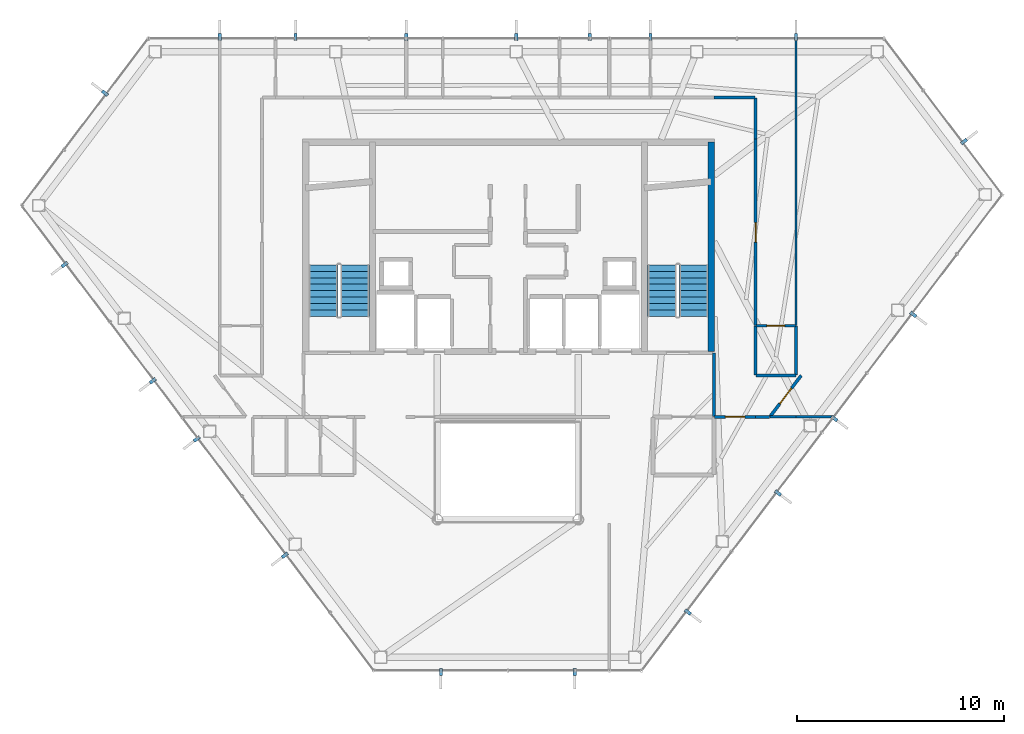
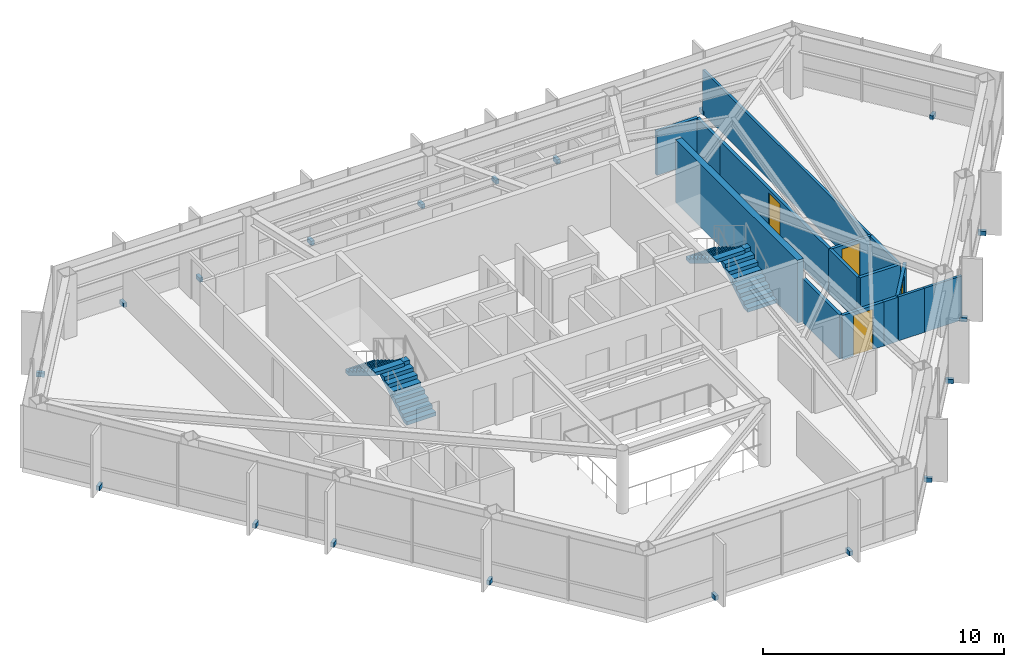
# One storey, part 24 of 25: 19 discrete accessories, 15 walls, 4 doors, 4 stair flights, 4 openings, 2 elements without a shape of their own.
"""IFC4 building model written with IfcOpenShell, lengths in metres."""

import ifcopenshell
import ifcopenshell.guid

model = None  # the IFC model being written
_history = None  # IfcOwnerHistory: only IFC2X3 demands one
_inside = {}  # id of a spatial element -> (the spatial element, [elements in it])
_under = {}  # id of a project, library or spatial element -> (it, [spatial elements below it])
_declared = {}  # id of a project -> (the project, [libraries it declares])
_typed = {}  # id of a type object -> (the type object, [elements of that type])
_made_of = {}  # id of a material, layer set ... -> (it, [elements and type objects made of it])


def new_model(schema):
    """Start an empty IFC model of exactly this schema.

    Asked for "IFC4X3", IfcOpenShell would pick the latest addendum, in which some entities
    have other attributes; the version numbers below select the first issue.
    IFC2X3 requires an IfcOwnerHistory on every rooted entity: one is made here for all.
    """
    global model, _history
    if schema == "IFC4X3":
        model = ifcopenshell.file(schema_version=(4, 3, 0, 0))
    else:
        model = ifcopenshell.file(schema=schema)
    _inside.clear()
    _under.clear()
    _declared.clear()
    _typed.clear()
    _made_of.clear()
    _history = None
    if model.schema == "IFC2X3":
        org = make("IfcOrganization", Name="unknown")
        user = make(
            "IfcPersonAndOrganization",
            ThePerson=make("IfcPerson", FamilyName="unknown"),
            TheOrganization=org,
        )
        app = make(
            "IfcApplication",
            ApplicationDeveloper=org,
            Version="unknown",
            ApplicationFullName="unknown",
            ApplicationIdentifier="unknown",
        )
        _history = make(
            "IfcOwnerHistory",
            OwningUser=user,
            OwningApplication=app,
            ChangeAction="ADDED",
            CreationDate=0,
        )
    return model


def make(cls, **values):
    """One entity of the class cls with the attributes given. An attribute that is None is left unset."""
    return model.create_entity(
        cls, **{name: value for name, value in values.items() if value is not None}
    )


def rooted(cls, **values):
    """An entity with a GlobalId (a new one), such as an element, a storey or a relation."""
    return make(cls, GlobalId=ifcopenshell.guid.new(), OwnerHistory=_history, **values)


def si_unit(unit_type, name, prefix=None):
    """IfcSIUnit, for example si_unit("LENGTHUNIT", "METRE", prefix="MILLI")."""
    return make("IfcSIUnit", UnitType=unit_type, Prefix=prefix, Name=name)


def assignment(units):
    """IfcUnitAssignment: the units of a project."""
    return None if units is None else make("IfcUnitAssignment", Units=units)


def point(xyz):
    """IfcCartesianPoint."""
    return None if xyz is None else make("IfcCartesianPoint", Coordinates=xyz)


def direction(xyz):
    """IfcDirection."""
    return None if xyz is None else make("IfcDirection", DirectionRatios=xyz)


def frame(location, z_axis=None, x_axis=None):
    """IfcAxis2Placement3D, a coordinate frame: its origin and axes. An axis left out is left unset."""
    return make(
        "IfcAxis2Placement3D",
        Location=point(location),
        Axis=direction(z_axis),
        RefDirection=direction(x_axis),
    )


def frame_2d(location, x_axis=None):
    """IfcAxis2Placement2D, a coordinate frame in the plane: its origin and x axis."""
    return make(
        "IfcAxis2Placement2D", Location=point(location), RefDirection=direction(x_axis)
    )


def origin():
    """The frame at (0, 0, 0) with its axes left unset."""
    return frame((0.0, 0.0, 0.0))


def origin_2d():
    """The frame at (0, 0) in the plane with its x axis left unset."""
    return frame_2d((0.0, 0.0))


def place(relative_to, where):
    """IfcLocalPlacement: puts the frame where relative to a parent placement (None: the world)."""
    return make(
        "IfcLocalPlacement", PlacementRelTo=relative_to, RelativePlacement=where
    )


def context(
    kind, dimensions, precision=None, world=None, true_north=None, identifier=None
):
    """IfcGeometricRepresentationContext, for example the 3D "Model" context."""
    return make(
        "IfcGeometricRepresentationContext",
        ContextIdentifier=identifier,
        ContextType=kind,
        CoordinateSpaceDimension=dimensions,
        Precision=precision,
        WorldCoordinateSystem=world,
        TrueNorth=true_north,
    )


def subcontext(parent, identifier, kind, view, scale=None):
    """IfcGeometricRepresentationSubContext, for example "Body" below "Model"."""
    return make(
        "IfcGeometricRepresentationSubContext",
        ContextIdentifier=identifier,
        ContextType=kind,
        ParentContext=parent,
        TargetScale=scale,
        TargetView=view,
    )


def project(units=None, contexts=None):
    """IfcProject with its units and contexts."""
    return rooted(
        "IfcProject",
        Name="project",
        RepresentationContexts=contexts,
        UnitsInContext=assignment(units),
    )


def spatial(cls, under=None, at=None, **own):
    """A site, building, storey or space (cls), placed at a placement, below another one or the project."""
    s = rooted(cls, ObjectPlacement=at, **own)
    if under is not None:
        _under.setdefault(under.id(), (under, []))[1].append(s)
    return s


def polyline(points):
    """IfcPolyline through the points."""
    return make("IfcPolyline", Points=[point(p) for p in points])


def profile(cls, at=None, kind="AREA", **sizes):
    """A parametric profile (cls). Its sizes go by their IFC names, for example OverallWidth=200.0."""
    return make(cls, ProfileType=kind, Position=at, **sizes)


def rectangle(**sizes):
    """IfcRectangleProfileDef."""
    return profile("IfcRectangleProfileDef", **sizes)


def outline(outer, holes=None, kind="AREA"):
    """IfcArbitraryClosedProfileDef: a profile drawn as a closed curve; with holes, ...WithVoids."""
    if holes is None:
        return make("IfcArbitraryClosedProfileDef", ProfileType=kind, OuterCurve=outer)
    return make(
        "IfcArbitraryProfileDefWithVoids",
        ProfileType=kind,
        OuterCurve=outer,
        InnerCurves=holes,
    )


def extrude(swept, where, along, depth):
    """IfcExtrudedAreaSolid: the profile swept, set in the frame where, extruded along a direction by depth."""
    return make(
        "IfcExtrudedAreaSolid",
        SweptArea=swept,
        Position=where,
        ExtrudedDirection=direction(along),
        Depth=depth,
    )


def shape(context_of_items, identifier, shape_type, items):
    """IfcShapeRepresentation: the items that make up one representation, for example the "Body"."""
    return make(
        "IfcShapeRepresentation",
        ContextOfItems=context_of_items,
        RepresentationIdentifier=identifier,
        RepresentationType=shape_type,
        Items=items,
    )


def material(Name=None, Category=None):
    """IfcMaterial."""
    return make("IfcMaterial", Name=Name, Category=Category)


def layer(
    of_material, thickness, ventilated=None, Name=None, Category=None, Priority=None
):
    """IfcMaterialLayer: one layer of a wall or slab, of a material (None: an air gap)."""
    return make(
        "IfcMaterialLayer",
        Material=of_material,
        LayerThickness=thickness,
        IsVentilated=ventilated,
        Name=Name,
        Category=Category,
        Priority=Priority,
    )


def layer_set(layers, Name=None):
    """IfcMaterialLayerSet."""
    return make("IfcMaterialLayerSet", MaterialLayers=layers, LayerSetName=Name)


def made_of(thing, what):
    """Note that an element or type object is made of a material, layer set ...; save() writes the relation."""
    if what is not None:
        _made_of.setdefault(what.id(), (what, []))[1].append(thing)
    return thing


def type_object(cls, material=None, **own):
    """A type object (cls), such as IfcWallType, which elements share."""
    return made_of(rooted(cls, **own), material)


def element(
    cls,
    number,
    at=None,
    inside=None,
    cuts=None,
    type_object=None,
    material=None,
    context=None,
    identifier="Body",
    shape_type=None,
    held_by="IfcProductDefinitionShape",
    body=None,
    shapes=None,
    **own,
):
    """One element of the class cls, such as IfcWall. Its Tag is "e" and its number.

    at: its placement. inside: the storey or other place that contains it. cuts: it is an
    opening in that element (IfcRelVoidsElement). A single representation is given by context,
    identifier, shape_type and body (its items); several are given by shapes. held_by: the class
    of the entity that holds the representations. save() writes the other relations.
    """
    e = rooted(cls, Tag="e%d" % number, ObjectPlacement=at, **own)
    if body is not None:
        shapes = [shape(context, identifier, shape_type, body)]
    if shapes is not None:
        e.Representation = make(held_by, Representations=shapes)
    if inside is not None:
        _inside.setdefault(inside.id(), (inside, []))[1].append(e)
    if cuts is not None:
        rooted(
            "IfcRelVoidsElement", RelatingBuildingElement=cuts, RelatedOpeningElement=e
        )
    if type_object is not None:
        _typed.setdefault(type_object.id(), (type_object, []))[1].append(e)
    return made_of(e, material)


def fill(opening, filler):
    """IfcRelFillsElement: the door or window that sits in an opening."""
    return rooted(
        "IfcRelFillsElement",
        RelatingOpeningElement=opening,
        RelatedBuildingElement=filler,
    )


def aggregate(whole, parts):
    """IfcRelAggregates: a whole, such as a stair, and the parts it consists of."""
    return rooted("IfcRelAggregates", RelatingObject=whole, RelatedObjects=parts)


def save(model, path):
    """Write the relations noted so far, then the file.

    IfcRelAggregates (storeys below a building ...), IfcRelContainedInSpatialStructure (elements
    in a storey), IfcRelDefinesByType, IfcRelAssociatesMaterial and IfcRelDeclares: one each for
    every whole, place, type object, material and project.
    """
    for whole, parts in _under.values():
        aggregate(whole, parts)
    for where, things in _inside.values():
        rooted(
            "IfcRelContainedInSpatialStructure",
            RelatedElements=things,
            RelatingStructure=where,
        )
    for kind, things in _typed.values():
        rooted("IfcRelDefinesByType", RelatedObjects=things, RelatingType=kind)
    for what, things in _made_of.values():
        rooted("IfcRelAssociatesMaterial", RelatedObjects=things, RelatingMaterial=what)
    for by, libraries in _declared.values():
        rooted("IfcRelDeclares", RelatingContext=by, RelatedDefinitions=libraries)
    model.write(path)


model = new_model("IFC4")

# Units and contexts
model_context = context("Model", 3, precision=1e-05, world=origin(), true_north=direction((0.0, 1.0)))
body_context = subcontext(model_context, "Body", "Model", "MODEL_VIEW")
ifc_project = project(units=[si_unit("LENGTHUNIT", "METRE"), si_unit("AREAUNIT", "SQUARE_METRE"), si_unit("VOLUMEUNIT", "CUBIC_METRE"), si_unit("PLANEANGLEUNIT", "RADIAN"), si_unit("MASSUNIT", "GRAM", prefix="KILO")], contexts=[model_context])

# Site, building, storey
site_placement = place(None, origin())
site = spatial("IfcSite", under=ifc_project, at=site_placement, CompositionType="ELEMENT")
building_placement = place(site_placement, origin())
building = spatial("IfcBuilding", under=site, at=building_placement, Name="Zarrinselat Tower", CompositionType="ELEMENT")
storey_placement = place(building_placement, frame((0.0, 0.0, 208.760009765625)))
storey = spatial("IfcBuildingStorey", under=building, at=storey_placement, Name="L51", CompositionType="ELEMENT", Elevation=208.760009765625)

# Walls
ifc_material_1 = material(Name="Fire-Rated Gypsum Board Partition", Category="gypsum")
ifc_layer_1 = layer(ifc_material_1, 0.14990234375)
ifc_layer_set_1 = layer_set([ifc_layer_1], Name="Fire-Rated Gypsum Board Partition")
wall_type_1 = type_object("IfcWallType", Name="WAL-PART-EI60", PredefinedType="PARTITIONING", material=ifc_layer_set_1)
wall_1_placement = place(storey_placement, frame((48.35009765625, 30.169921875, 0.0), z_axis=(0.0, 0.0, 1.0), x_axis=(0.0, 1.0, 0.0)))
element("IfcWall", 1, at=wall_1_placement, inside=storey, type_object=wall_type_1, Name="L51 Partition Wall 18", PredefinedType="PARTITIONING", context=body_context, shape_type="SweptSolid", body=[
    extrude(rectangle(XDim=3.06005859375, YDim=0.14990234375, at=frame_2d((1.530029296875, 0.0))), origin(), (0.0, 0.0, 1.0), 2.235107421875),
])
wall_2_placement = place(storey_placement, frame((50.35009765625, 30.14990234375, 0.0), z_axis=(0.0, 0.0, 1.0), x_axis=(1.0, 0.0, 0.0)))
element("IfcWall", 2, at=wall_2_placement, inside=storey, type_object=wall_type_1, Name="L51 Partition Wall 29", PredefinedType="PARTITIONING", context=body_context, shape_type="SweptSolid", body=[
    extrude(rectangle(XDim=0.6650390625, YDim=0.14990234375, at=frame_2d((0.33251953125, 0.0))), origin(), (0.0, 0.0, 1.0), 2.235107421875),
])

# Wall, opening, door
wall_3_placement = place(storey_placement, frame((48.3701171875, 30.14990234375, 0.0), z_axis=(0.0, 0.0, 1.0), x_axis=(1.0, 0.0, 0.0)))
wall_3 = element("IfcWall", 3, at=wall_3_placement, inside=storey, type_object=wall_type_1, Name="L51 Partition Wall 30", PredefinedType="PARTITIONING", context=body_context, shape_type="SweptSolid", body=[
    extrude(rectangle(XDim=1.97998046875, YDim=0.14990234375, at=frame_2d((0.989990234375, 0.0))), origin(), (0.0, 0.0, 1.0), 2.235107421875),
])
opening_1_placement = place(wall_3_placement, frame((0.52001953125, 0.0, 0.0)))
opening_1 = element("IfcOpeningElement", 4, at=opening_1_placement, cuts=wall_3, Name="Opening ID-04", PredefinedType="OPENING", context=body_context, shape_type="SweptSolid", body=[
    extrude(rectangle(XDim=0.93994140625, YDim=2.050048828125, at=frame_2d((0.469970703125, 1.02490234375))), frame((0.0, 0.0849609375, 0.0), z_axis=(0.0, -1.0, 0.0), x_axis=(1.0, 0.0, 0.0)), (0.0, 0.0, 1.0), 0.169921875),
])
ifc_material_2 = material(Name="Fire-Rated Gypsum Board Partition")
door_type_1 = type_object("IfcDoorType", Name="DR-INT-FD30-ENT", OperationType="NOTDEFINED", PredefinedType="DOOR", material=ifc_material_2)
door_1_placement = place(opening_1_placement, origin())
door_1 = element("IfcDoor", 5, at=door_1_placement, inside=storey, type_object=door_type_1, Name="L51 Interior Door P30", OperationType="SINGLE_SWING_RIGHT", OverallHeight=2.050048828125, OverallWidth=0.93994140625, PredefinedType="DOOR", context=body_context, shape_type="SweptSolid", body=[
    extrude(rectangle(XDim=0.93994140625, YDim=2.050048828125, at=frame_2d((0.469970703125, 1.02490234375))), frame((0.0, 0.02490234375, 0.0), z_axis=(0.0, -1.0, 0.0), x_axis=(1.0, 0.0, 0.0)), (0.0, 0.0, 1.0), 0.050048828125),
])
fill(opening_1, door_1)

wall_4_placement = place(storey_placement, frame((51.04736328125, 30.166015625, 0.0), z_axis=(0.0, 0.0, 1.0), x_axis=(0.60385391082, 0.797095009637, 0.0)))
wall_4 = element("IfcWall", 6, at=wall_4_placement, inside=storey, type_object=wall_type_1, Name="L51 Partition Wall 32", PredefinedType="PARTITIONING", context=body_context, shape_type="SweptSolid", body=[
    extrude(rectangle(XDim=2.489013671875, YDim=0.14990234375, at=frame_2d((1.24462890625, 0.0))), origin(), (0.0, 0.0, 1.0), 2.235107421875),
])
opening_2_placement = place(wall_4_placement, frame((0.774658203125, 0.0, 0.0)))
opening_2 = element("IfcOpeningElement", 7, at=opening_2_placement, cuts=wall_4, Name="Opening ID-04", PredefinedType="OPENING", context=body_context, shape_type="SweptSolid", body=[
    extrude(rectangle(XDim=0.93994140625, YDim=2.050048828125, at=frame_2d((0.469970703125, 1.02490234375))), frame((0.0, 0.0849609375, 0.0), z_axis=(0.0, -1.0, 0.0), x_axis=(1.0, 0.0, 0.0)), (0.0, 0.0, 1.0), 0.169921875),
])
door_2_placement = place(opening_2_placement, origin())
door_2 = element("IfcDoor", 8, at=door_2_placement, inside=storey, type_object=door_type_1, Name="L51 Interior Door P32", OperationType="SINGLE_SWING_RIGHT", OverallHeight=2.050048828125, OverallWidth=0.93994140625, PredefinedType="DOOR", context=body_context, shape_type="SweptSolid", body=[
    extrude(rectangle(XDim=0.93994140625, YDim=2.050048828125, at=frame_2d((0.469970703125, 1.02490234375))), frame((0.0, 0.02490234375, 0.0), z_axis=(0.0, -1.0, 0.0), x_axis=(1.0, 0.0, 0.0)), (0.0, 0.0, 1.0), 0.050048828125),
])
fill(opening_2, door_2)

# Walls
for number, where, z_axis, x_axis, name in (
    (9, (48.35009765625, 45.550048828125, 0.0), (0.0, 0.0, 1.0), (1.0, 0.0, 0.0), "L51 Partition Wall 41"),
    (10, (50.35009765625, 43.550048828125, 0.0), (0.0, 0.0, 1.0), (0.0, 1.0, 0.0), "L51 Partition Wall 42"),
):
    element("IfcWall", number, at=place(storey_placement, frame(where, z_axis=z_axis, x_axis=x_axis)), inside=storey, type_object=wall_type_1, Name=name, PredefinedType="PARTITIONING", context=body_context, shape_type="SweptSolid", body=[
        extrude(rectangle(XDim=1.97998046875, YDim=0.14990234375, at=frame_2d((0.989990234375, 0.0))), origin(), (0.0, 0.0, 1.0), 2.235107421875),
    ])

# Wall, opening, door
wall_5_placement = place(storey_placement, frame((50.35009765625, 34.554931640625, 0.0), z_axis=(0.0, 0.0, 1.0), x_axis=(0.0, 1.0, 0.0)))
wall_5 = element("IfcWall", 11, at=wall_5_placement, inside=storey, type_object=wall_type_1, Name="L51 Partition Wall 43", PredefinedType="PARTITIONING", context=body_context, shape_type="SweptSolid", body=[
    extrude(rectangle(XDim=8.9951171875, YDim=0.14990234375, at=frame_2d((4.49755859375, 0.0))), origin(), (0.0, 0.0, 1.0), 2.235107421875),
])
opening_3_placement = place(wall_5_placement, frame((4.027587890625, 0.0, 0.0)))
opening_3 = element("IfcOpeningElement", 12, at=opening_3_placement, cuts=wall_5, Name="Opening ID-04", PredefinedType="OPENING", context=body_context, shape_type="SweptSolid", body=[
    extrude(rectangle(XDim=0.93994140625, YDim=2.050048828125, at=frame_2d((0.469970703125, 1.02490234375))), frame((0.0, 0.0849609375, 0.0), z_axis=(0.0, -1.0, 0.0), x_axis=(1.0, 0.0, 0.0)), (0.0, 0.0, 1.0), 0.169921875),
])
door_3_placement = place(opening_3_placement, origin())
door_3 = element("IfcDoor", 13, at=door_3_placement, inside=storey, type_object=door_type_1, Name="L51 Interior Door P43", OperationType="SINGLE_SWING_RIGHT", OverallHeight=2.050048828125, OverallWidth=0.93994140625, PredefinedType="DOOR", context=body_context, shape_type="SweptSolid", body=[
    extrude(rectangle(XDim=0.93994140625, YDim=2.050048828125, at=frame_2d((0.469970703125, 1.02490234375))), frame((0.0, 0.02490234375, 0.0), z_axis=(0.0, -1.0, 0.0), x_axis=(1.0, 0.0, 0.0)), (0.0, 0.0, 1.0), 0.050048828125),
])
fill(opening_3, door_3)

# Walls
wall_6_placement = place(storey_placement, frame((50.35009765625, 32.169921875, 0.0), z_axis=(0.0, 0.0, 1.0), x_axis=(0.0, 1.0, 0.0)))
element("IfcWall", 14, at=wall_6_placement, inside=storey, type_object=wall_type_1, Name="L51 Partition Wall 45", PredefinedType="PARTITIONING", context=body_context, shape_type="SweptSolid", body=[
    extrude(rectangle(XDim=2.375, YDim=0.14990234375, at=frame_2d((1.1875, 0.0))), origin(), (0.0, 0.0, 1.0), 2.235107421875),
])
wall_7_placement = place(storey_placement, frame((50.3701171875, 32.14990234375, 0.0), z_axis=(0.0, 0.0, 1.0), x_axis=(1.0, 0.0, 0.0)))
element("IfcWall", 15, at=wall_7_placement, inside=storey, type_object=wall_type_1, Name="L51 Partition Wall 46", PredefinedType="PARTITIONING", context=body_context, shape_type="SweptSolid", body=[
    extrude(rectangle(XDim=1.9248046875, YDim=0.14990234375, at=frame_2d((0.96240234375, 0.0))), origin(), (0.0, 0.0, 1.0), 2.235107421875),
])
ifc_material_3 = material(Name="Fire-Rated Gypsum Board Partition", Category="gypsum")
ifc_layer_2 = layer(ifc_material_3, 0.1201171875)
ifc_layer_set_2 = layer_set([ifc_layer_2], Name="Fire-Rated Gypsum Board Partition")
wall_type_2 = type_object("IfcWallType", Name="WAL-PART-STD", PredefinedType="PARTITIONING", material=ifc_layer_set_2)
wall_8_placement = place(storey_placement, frame((51.05517578125, 30.14990234375, 0.0), z_axis=(0.0, 0.0, 1.0), x_axis=(1.0, 0.0, 0.0)))
element("IfcWall", 16, at=wall_8_placement, inside=storey, type_object=wall_type_2, Name="L51 Partition Wall 60", PredefinedType="PARTITIONING", context=body_context, shape_type="SweptSolid", body=[
    extrude(rectangle(XDim=1.244873046875, YDim=0.1201171875, at=frame_2d((0.62255859375, 0.0))), origin(), (0.0, 0.0, 1.0), 2.235107421875),
])
wall_9_placement = place(storey_placement, frame((52.300048828125, 30.14990234375, 0.0), z_axis=(0.0, 0.0, 1.0), x_axis=(1.0, 0.0, 0.0)))
element("IfcWall", 17, at=wall_9_placement, inside=storey, type_object=wall_type_2, Name="L51 Partition Wall 61", PredefinedType="PARTITIONING", context=body_context, shape_type="SweptSolid", body=[
    extrude(rectangle(XDim=1.806396484375, YDim=0.1201171875, at=frame_2d((0.9033203125, 0.0))), origin(), (0.0, 0.0, 1.0), 2.235107421875),
])
wall_10_placement = place(storey_placement, frame((52.300048828125, 34.554931640625, 0.0), z_axis=(0.0, 0.0, 1.0), x_axis=(0.0, 1.0, 0.0)))
element("IfcWall", 18, at=wall_10_placement, inside=storey, type_object=wall_type_2, Name="L51 Partition Wall 64", PredefinedType="PARTITIONING", context=body_context, shape_type="SweptSolid", body=[
    extrude(rectangle(XDim=13.841064453125, YDim=0.1201171875, at=frame_2d((6.92041015625, 0.0))), origin(), (0.0, 0.0, 1.0), 2.235107421875),
])
ifc_material_4 = material(Name="Fire-Rated Gypsum Board Partition", Category="gypsum")
ifc_layer_3 = layer(ifc_material_4, 0.135009765625)
ifc_layer_set_3 = layer_set([ifc_layer_3], Name="Fire-Rated Gypsum Board Partition")
wall_type_3 = type_object("IfcWallType", Name="WAL-PART-WET", PredefinedType="PARTITIONING", material=ifc_layer_set_3)
wall_11_placement = place(storey_placement, frame((52.300048828125, 32.169921875, 0.0), z_axis=(0.0, 0.0, 1.0), x_axis=(0.0, 1.0, 0.0)))
element("IfcWall", 19, at=wall_11_placement, inside=storey, type_object=wall_type_3, Name="L51 Partition Wall 65", PredefinedType="PARTITIONING", context=body_context, shape_type="SweptSolid", body=[
    extrude(rectangle(XDim=2.375, YDim=0.135009765625, at=frame_2d((1.1875, 0.0))), origin(), (0.0, 0.0, 1.0), 2.235107421875),
])

# Wall, opening, door
wall_12_placement = place(storey_placement, frame((50.3701171875, 34.550048828125, 0.0), z_axis=(0.0, 0.0, 1.0), x_axis=(1.0, 0.0, 0.0)))
wall_12 = element("IfcWall", 20, at=wall_12_placement, inside=storey, type_object=wall_type_3, Name="L51 Partition Wall 70", PredefinedType="PARTITIONING", context=body_context, shape_type="SweptSolid", body=[
    extrude(rectangle(XDim=1.909912109375, YDim=0.135009765625, at=frame_2d((0.955078125, 0.0))), origin(), (0.0, 0.0, 1.0), 2.235107421875),
])
opening_4_placement = place(wall_12_placement, frame((0.52490234375, 0.0, 0.0)))
opening_4 = element("IfcOpeningElement", 21, at=opening_4_placement, cuts=wall_12, Name="Opening ID-06", PredefinedType="OPENING", context=body_context, shape_type="SweptSolid", body=[
    extrude(rectangle(XDim=0.860107421875, YDim=2.050048828125, at=frame_2d((0.43017578125, 1.02490234375))), frame((0.0, 0.077392578125, 0.0), z_axis=(0.0, -1.0, 0.0), x_axis=(1.0, 0.0, 0.0)), (0.0, 0.0, 1.0), 0.155029296875),
])
ifc_material_5 = material(Name="Extruded Aluminium Alloy EN AW-6063 T6", Category="aluminium")
door_type_2 = type_object("IfcDoorType", Name="DR-INT-WET-900", OperationType="NOTDEFINED", PredefinedType="DOOR", material=ifc_material_5)
door_4_placement = place(opening_4_placement, origin())
door_4 = element("IfcDoor", 22, at=door_4_placement, inside=storey, type_object=door_type_2, Name="L51 Interior Door P70", OperationType="SINGLE_SWING_LEFT", OverallHeight=2.050048828125, OverallWidth=0.860107421875, PredefinedType="DOOR", context=body_context, shape_type="SweptSolid", body=[
    extrude(rectangle(XDim=0.860107421875, YDim=2.050048828125, at=frame_2d((0.43017578125, 1.02490234375))), frame((0.0, 0.02490234375, 0.0), z_axis=(0.0, -1.0, 0.0), x_axis=(1.0, 0.0, 0.0)), (0.0, 0.0, 1.0), 0.050048828125),
])
fill(opening_4, door_4)

# Wall
ifc_material_6 = material(Name="Concrete C40/50", Category="concrete")
ifc_layer_4 = layer(ifc_material_6, 0.300048828125)
ifc_layer_set_4 = layer_set([ifc_layer_4], Name="Concrete C40/50")
wall_type_4 = type_object("IfcWallType", Name="WAL-SHEAR-300", PredefinedType="SHEAR", material=ifc_layer_set_4)
wall_13_placement = place(storey_placement, frame((48.2099609375, 33.300048828125, 0.0), z_axis=(0.0, 0.0, 1.0), x_axis=(0.0, 1.0, 0.0)))
element("IfcWall", 23, at=wall_13_placement, inside=storey, type_object=wall_type_4, Name="L51 Core Shear Wall E", PredefinedType="SHEAR", context=body_context, shape_type="SweptSolid", body=[
    extrude(rectangle(XDim=10.099853515625, YDim=0.300048828125, at=frame_2d((5.0498046875, 0.0))), origin(), (0.0, 0.0, 1.0), 3.179931640625),
])

# Stair, stair flights
ifc_material_7 = material(Name="Concrete C40/50", Category="concrete")
stair_type = type_object("IfcStairType", Name="STR-CORE-155", PredefinedType="HALF_TURN_STAIR", material=ifc_material_7)
stair_1_placement = place(storey_placement, origin())
stair_1 = element("IfcStair", 24, at=stair_1_placement, inside=storey, type_object=stair_type, Name="L51 Core Exit Stair 1", PredefinedType="HALF_TURN_STAIR")
ifc_material_8 = material(Name="Concrete C40/50", Category="concrete")
stair_flight_type = type_object("IfcStairFlightType", Name="STR-FLT-155", PredefinedType="STRAIGHT", material=ifc_material_8)
stair_flight_1_placement = place(storey_placement, frame((31.02001953125, 35.0, 0.0), z_axis=(0.0, 0.0, 1.0), x_axis=(0.0, 1.0, 0.0)))
stair_flight_1 = element("IfcStairFlight", 25, at=stair_flight_1_placement, type_object=stair_flight_type, Name="ST-1 flight 1", NumberOfRisers=9, NumberOfTreads=8, PredefinedType="STRAIGHT", RiserHeight=0.188888889, TreadLength=0.31, context=body_context, shape_type="SweptSolid", body=[
    extrude(outline(polyline([(0.0, 0.0), (0.0, 0.18896484375), (0.31005859375, 0.18896484375), (0.31005859375, 0.377685546875), (0.6201171875, 0.377685546875), (0.6201171875, 0.566650390625), (0.929931640625, 0.566650390625), (0.929931640625, 0.755615234375), (1.239990234375, 0.755615234375), (1.239990234375, 0.9443359375), (1.550048828125, 0.9443359375), (1.550048828125, 1.13330078125), (1.860107421875, 1.13330078125), (1.860107421875, 1.322265625), (2.169921875, 1.322265625), (2.169921875, 1.51123046875), (2.47998046875, 1.51123046875), (2.47998046875, 1.699951171875), (2.47998046875, 1.335693359375), (0.2880859375, 0.0), (0.0, 0.0)])), frame((0.0, 0.699951171875, 0.0), z_axis=(0.0, -1.0, 0.0), x_axis=(1.0, 0.0, 0.0)), (0.0, 0.0, 1.0), 1.39990234375),
])
stair_flight_2_placement = place(storey_placement, frame((29.5, 37.47998046875, 1.699951171875), z_axis=(0.0, 0.0, 1.0), x_axis=(0.0, -1.0, 0.0)))
stair_flight_2 = element("IfcStairFlight", 26, at=stair_flight_2_placement, type_object=stair_flight_type, Name="ST-1 flight 2", NumberOfRisers=9, NumberOfTreads=8, PredefinedType="STRAIGHT", RiserHeight=0.188888889, TreadLength=0.31, context=body_context, shape_type="SweptSolid", body=[
    extrude(outline(polyline([(0.0, 0.0), (0.0, 0.18896484375), (0.31005859375, 0.18896484375), (0.31005859375, 0.377685546875), (0.6201171875, 0.377685546875), (0.6201171875, 0.566650390625), (0.929931640625, 0.566650390625), (0.929931640625, 0.755615234375), (1.239990234375, 0.755615234375), (1.239990234375, 0.9443359375), (1.550048828125, 0.9443359375), (1.550048828125, 1.13330078125), (1.860107421875, 1.13330078125), (1.860107421875, 1.322265625), (2.169921875, 1.322265625), (2.169921875, 1.51123046875), (2.47998046875, 1.51123046875), (2.47998046875, 1.699951171875), (2.47998046875, 1.335693359375), (0.2880859375, 0.0), (0.0, 0.0)])), frame((0.0, 0.699951171875, 0.0), z_axis=(0.0, -1.0, 0.0), x_axis=(1.0, 0.0, 0.0)), (0.0, 0.0, 1.0), 1.39990234375),
])
aggregate(stair_1, [stair_flight_1, stair_flight_2])

stair_2_placement = place(storey_placement, origin())
stair_2 = element("IfcStair", 27, at=stair_2_placement, inside=storey, type_object=stair_type, Name="L51 Core Exit Stair 2", PredefinedType="HALF_TURN_STAIR")
stair_flight_3_placement = place(storey_placement, frame((47.360107421875, 35.0, 0.0), z_axis=(0.0, 0.0, 1.0), x_axis=(0.0, 1.0, 0.0)))
stair_flight_3 = element("IfcStairFlight", 28, at=stair_flight_3_placement, type_object=stair_flight_type, Name="ST-2 flight 1", NumberOfRisers=9, NumberOfTreads=8, PredefinedType="STRAIGHT", RiserHeight=0.188888889, TreadLength=0.31, context=body_context, shape_type="SweptSolid", body=[
    extrude(outline(polyline([(0.0, 0.0), (0.0, 0.18896484375), (0.31005859375, 0.18896484375), (0.31005859375, 0.377685546875), (0.6201171875, 0.377685546875), (0.6201171875, 0.566650390625), (0.929931640625, 0.566650390625), (0.929931640625, 0.755615234375), (1.239990234375, 0.755615234375), (1.239990234375, 0.9443359375), (1.550048828125, 0.9443359375), (1.550048828125, 1.13330078125), (1.860107421875, 1.13330078125), (1.860107421875, 1.322265625), (2.169921875, 1.322265625), (2.169921875, 1.51123046875), (2.47998046875, 1.51123046875), (2.47998046875, 1.699951171875), (2.47998046875, 1.335693359375), (0.2880859375, 0.0), (0.0, 0.0)])), frame((0.0, 0.699951171875, 0.0), z_axis=(0.0, -1.0, 0.0), x_axis=(1.0, 0.0, 0.0)), (0.0, 0.0, 1.0), 1.39990234375),
])
stair_flight_4_placement = place(storey_placement, frame((45.840087890625, 37.47998046875, 1.699951171875), z_axis=(0.0, 0.0, 1.0), x_axis=(0.0, -1.0, 0.0)))
stair_flight_4 = element("IfcStairFlight", 29, at=stair_flight_4_placement, type_object=stair_flight_type, Name="ST-2 flight 2", NumberOfRisers=9, NumberOfTreads=8, PredefinedType="STRAIGHT", RiserHeight=0.188888889, TreadLength=0.31, context=body_context, shape_type="SweptSolid", body=[
    extrude(outline(polyline([(0.0, 0.0), (0.0, 0.18896484375), (0.31005859375, 0.18896484375), (0.31005859375, 0.377685546875), (0.6201171875, 0.377685546875), (0.6201171875, 0.566650390625), (0.929931640625, 0.566650390625), (0.929931640625, 0.755615234375), (1.239990234375, 0.755615234375), (1.239990234375, 0.9443359375), (1.550048828125, 0.9443359375), (1.550048828125, 1.13330078125), (1.860107421875, 1.13330078125), (1.860107421875, 1.322265625), (2.169921875, 1.322265625), (2.169921875, 1.51123046875), (2.47998046875, 1.51123046875), (2.47998046875, 1.699951171875), (2.47998046875, 1.335693359375), (0.2880859375, 0.0), (0.0, 0.0)])), frame((0.0, 0.699951171875, 0.0), z_axis=(0.0, -1.0, 0.0), x_axis=(1.0, 0.0, 0.0)), (0.0, 0.0, 1.0), 1.39990234375),
])
aggregate(stair_2, [stair_flight_3, stair_flight_4])

# Discrete accessories
ifc_material_9 = material(Name="Steel S355J2", Category="steel")
discrete_accessory_type = type_object("IfcDiscreteAccessoryType", Name="ACC-FIN-BRACKET", PredefinedType="BRACKET", material=ifc_material_9)
for number, where, z_axis, x_axis, name in (
    (30, (52.300048828125, 48.481201171875, -0.0498046875), (0.0, 0.0, 1.0), (0.0, 1.0, 0.0), "L51 Fin Fixing Bracket CW-L51-E01-01"),
    (31, (45.280029296875, 48.481201171875, -0.0498046875), (0.0, 0.0, 1.0), (0.0, 1.0, 0.0), "L51 Fin Fixing Bracket CW-L51-E01-03"),
    (32, (42.349853515625, 48.481201171875, -0.0498046875), (0.0, 0.0, 1.0), (0.0, 1.0, 0.0), "L51 Fin Fixing Bracket CW-L51-E01-05"),
    (33, (38.802001953125, 48.481201171875, -0.0498046875), (0.0, 0.0, 1.0), (0.0, 1.0, 0.0), "L51 Fin Fixing Bracket CW-L51-E01-07"),
    (34, (33.5, 48.481201171875, -0.0498046875), (0.0, 0.0, 1.0), (0.0, 1.0, 0.0), "L51 Fin Fixing Bracket CW-L51-E01-09"),
    (35, (28.158447265625, 48.481201171875, -0.0498046875), (0.0, 0.0, 1.0), (0.0, 1.0, 0.0), "L51 Fin Fixing Bracket CW-L51-E01-11"),
    (36, (24.5, 48.481201171875, -0.0498046875), (0.0, 0.0, 1.0), (0.0, 1.0, 0.0), "L51 Fin Fixing Bracket CW-L51-E01-13"),
    (37, (18.970458984375, 45.765380859375, -0.0498046875), (0.0, 0.0, 1.0), (-0.797095319947, 0.603853501206, 0.0), "L51 Fin Fixing Bracket CW-L51-E02-01"),
    (38, (17.0224609375, 37.5, -0.0498046875), (0.0, 0.0, 1.0), (-0.797091267247, -0.603858850791, 0.0), "L51 Fin Fixing Bracket CW-L51-E03-01"),
    (39, (21.271728515625, 31.89111328125, -0.0498046875), (0.0, 0.0, 1.0), (-0.797091267247, -0.603858850791, 0.0), "L51 Fin Fixing Bracket CW-L51-E03-03"),
    (40, (23.396484375, 29.08642578125, -0.0498046875), (0.0, 0.0, 1.0), (-0.797091267247, -0.603858850791, 0.0), "L51 Fin Fixing Bracket CW-L51-E03-05"),
    (41, (27.64599609375, 23.477294921875, -0.0498046875), (0.0, 0.0, 1.0), (-0.797091267247, -0.603858850791, 0.0), "L51 Fin Fixing Bracket CW-L51-E03-07"),
    (42, (35.175537109375, 17.840576171875, -0.0498046875), (0.0, 0.0, 1.0), (0.0, -1.0, 0.0), "L51 Fin Fixing Bracket CW-L51-E04-01"),
    (43, (41.62451171875, 17.840576171875, -0.0498046875), (0.0, 0.0, 1.0), (0.0, -1.0, 0.0), "L51 Fin Fixing Bracket CW-L51-E04-03"),
    (44, (47.07958984375, 20.739013671875, -0.0498046875), (0.0, 0.0, 1.0), (0.797090781384, -0.603859492128, 0.0), "L51 Fin Fixing Bracket CW-L51-E05-01"),
    (45, (51.4296875, 26.48095703125, -0.0498046875), (0.0, 0.0, 1.0), (0.797090781384, -0.603859492128, 0.0), "L51 Fin Fixing Bracket CW-L51-E05-03"),
    (46, (54.149658203125, 30.071533203125, -0.0498046875), (0.0, 0.0, 1.0), (0.797090781384, -0.603859492128, 0.0), "L51 Fin Fixing Bracket CW-L51-E05-05"),
    (47, (57.954345703125, 35.093505859375, -0.0498046875), (0.0, 0.0, 1.0), (0.797090781384, -0.603859492128, 0.0), "L51 Fin Fixing Bracket CW-L51-E05-07"),
    (48, (60.40185546875, 43.43115234375, -0.0498046875), (0.0, 0.0, 1.0), (0.797091993827, 0.603857891707, 0.0), "L51 Fin Fixing Bracket CW-L51-E06-01"),
):
    element("IfcDiscreteAccessory", number, at=place(storey_placement, frame(where, z_axis=z_axis, x_axis=x_axis)), inside=storey, type_object=discrete_accessory_type, Name=name, PredefinedType="BRACKET", context=body_context, shape_type="SweptSolid", body=[
        extrude(rectangle(XDim=0.340087890625, YDim=0.159912109375, at=origin_2d()), origin(), (0.0, 0.0, 1.0), 0.219970703125),
    ])

save(model, "model.ifc")
